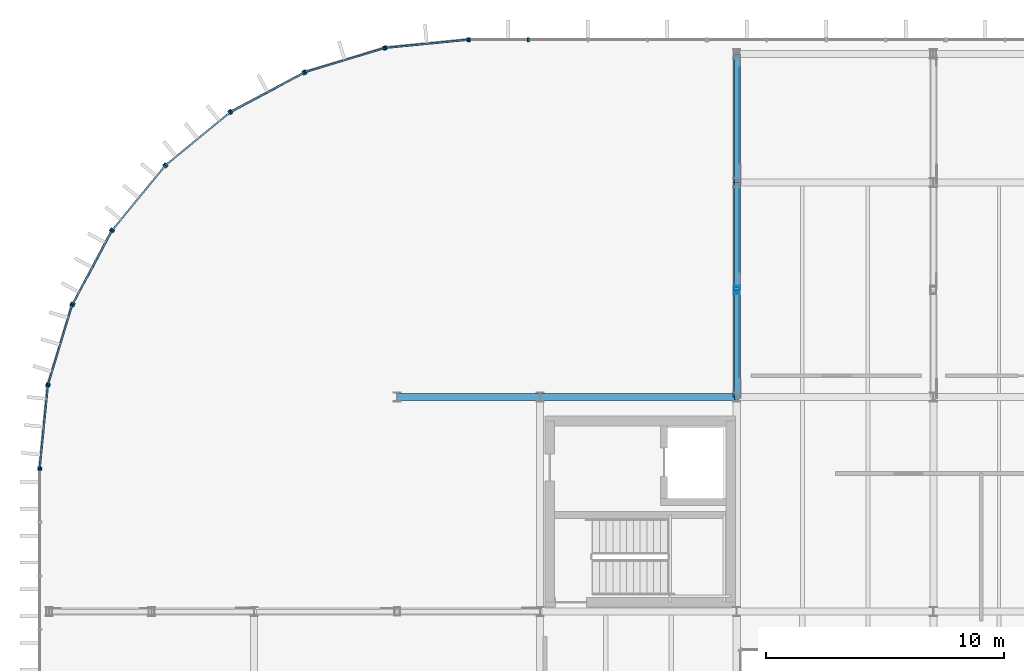
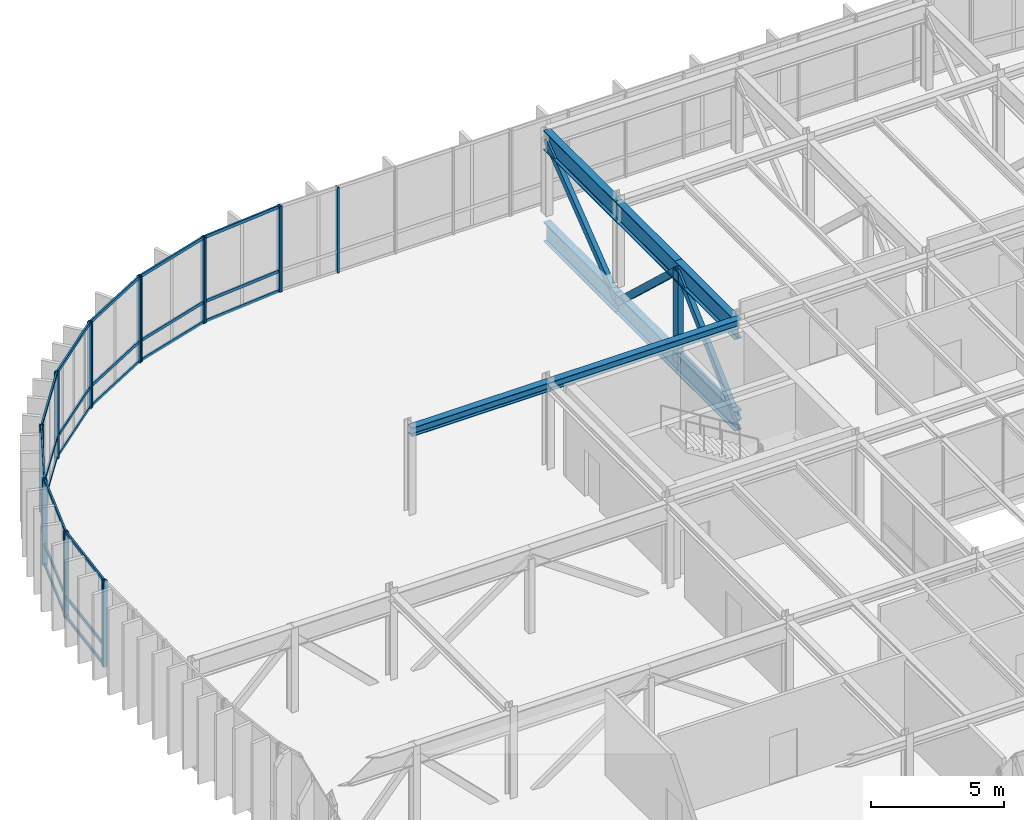
# One storey, part 11 of 29: 47 members, 8 beams, 10 elements without a shape of their own.
"""IFC4 building model written with IfcOpenShell, lengths in metres."""

from ifc_helpers import new_model, si_unit, direction, frame, origin, origin_2d, place, context, subcontext, project, spatial, rectangle, hollow_rectangle, i_section, extrude, material, layer, layer_set, material_profile, profile_set, type_object, element, aggregate, save


model = new_model("IFC4")

# Units and contexts
model_context = context("Model", 3, precision=1e-05, world=origin(), true_north=direction((0.0, 1.0)))
body_context = subcontext(model_context, "Body", "Model", "MODEL_VIEW")
ifc_project = project(units=[si_unit("LENGTHUNIT", "METRE"), si_unit("AREAUNIT", "SQUARE_METRE"), si_unit("VOLUMEUNIT", "CUBIC_METRE"), si_unit("PLANEANGLEUNIT", "RADIAN"), si_unit("MASSUNIT", "GRAM", prefix="KILO")], contexts=[model_context])

# Site, building, storey
site_placement = place(None, origin())
site = spatial("IfcSite", under=ifc_project, at=site_placement, CompositionType="ELEMENT")
building_placement = place(site_placement, origin())
building = spatial("IfcBuilding", under=site, at=building_placement, Name="Montealbar Specialist Clinic", CompositionType="ELEMENT")
storey_placement = place(building_placement, frame((0.0, 0.0, 22.199951171875)))
storey = spatial("IfcBuildingStorey", under=building, at=storey_placement, Name="L05", CompositionType="ELEMENT", Elevation=22.199951171875)

# Beams
ifc_material_1 = material(Name="Steel S355", Category="steel")
ifc_material_profile_1 = material_profile(ifc_material_1, i_section(OverallWidth=0.300048828125, OverallDepth=0.39990234375, WebThickness=0.013427734375, FlangeThickness=0.02392578125, FilletRadius=0.027099609375, at=origin_2d()), Name="HEB 400", Category="steel")
ifc_profile_set_1 = profile_set([ifc_material_profile_1], Name="Steel S355")
beam_type_1 = type_object("IfcBeamType", Name="BM-GIRD-HEB400", PredefinedType="BEAM", material=ifc_profile_set_1)
beam_1_placement = place(storey_placement, frame((60.0, 36.0, 3.739990234375), z_axis=(1.0, 0.0, 0.0), x_axis=(0.0, 1.0, 0.0)))
element("IfcBeam", 1, at=beam_1_placement, inside=storey, type_object=beam_type_1, Name="Beam GX-L05-600-660-360", PredefinedType="BEAM", context=body_context, shape_type="SweptSolid", body=[
    extrude(i_section(OverallWidth=0.300048828125, OverallDepth=0.39990234375, WebThickness=0.013427734375, FlangeThickness=0.02392578125, FilletRadius=0.027099609375, at=origin_2d()), origin(), (0.0, 0.0, 1.0), 6.0),
])
beam_2_placement = place(storey_placement, frame((66.0, 36.0, 3.739990234375), z_axis=(1.0, 0.0, 0.0), x_axis=(0.0, 1.0, 0.0)))
element("IfcBeam", 2, at=beam_2_placement, inside=storey, type_object=beam_type_1, Name="Beam GX-L05-660-742-360", PredefinedType="BEAM", context=body_context, shape_type="SweptSolid", body=[
    extrude(i_section(OverallWidth=0.300048828125, OverallDepth=0.39990234375, WebThickness=0.013427734375, FlangeThickness=0.02392578125, FilletRadius=0.027099609375, at=origin_2d()), origin(), (0.0, 0.0, 1.0), 8.25),
])
ifc_material_profile_2 = material_profile(ifc_material_1, i_section(OverallWidth=0.300048828125, OverallDepth=0.89990234375, WebThickness=0.0185546875, FlangeThickness=0.034912109375, FilletRadius=0.030029296875, at=origin_2d()), Name="HEB 900", Category="steel")
ifc_profile_set_2 = profile_set([ifc_material_profile_2], Name="Steel S355")
beam_type_2 = type_object("IfcBeamType", Name="BM-XFER-HEB900", PredefinedType="BEAM", material=ifc_profile_set_2)
for number, where, z_axis, x_axis, name in (
    (3, (74.25, 36.0, -0.7900390625), (0.0, 1.0, 0.0), (-1.0, 0.0, 0.0), "Transfer truss TT-N2 bottom chord 1"),
    (4, (74.25, 36.0, 3.41015625), (0.0, 1.0, 0.0), (-1.0, 0.0, 0.0), "Transfer truss TT-N2 top chord 1"),
    (5, (74.25, 40.5, -0.7900390625), (0.0, 1.0, 0.0), (-1.0, 0.0, 0.0), "Transfer truss TT-N2 bottom chord 2"),
    (6, (74.25, 40.5, 3.41015625), (0.0, 1.0, 0.0), (-1.0, 0.0, 0.0), "Transfer truss TT-N2 top chord 2"),
):
    element("IfcBeam", number, at=place(storey_placement, frame(where, z_axis=z_axis, x_axis=x_axis)), inside=storey, type_object=beam_type_2, Name=name, PredefinedType="BEAM", context=body_context, shape_type="SweptSolid", body=[
        extrude(i_section(OverallWidth=0.300048828125, OverallDepth=0.89990234375, WebThickness=0.0185546875, FlangeThickness=0.034912109375, FilletRadius=0.030029296875, at=origin_2d()), origin(), (0.0, 0.0, 1.0), 4.5),
    ])
for number, where, z_axis, x_axis, name in (
    (7, (74.25, 45.0, -0.7900390625), (0.0, 1.0, 0.0), (-1.0, 0.0, 0.0), "Transfer truss TT-N2 bottom chord 3"),
    (8, (74.25, 45.0, 3.41015625), (0.0, 1.0, 0.0), (-1.0, 0.0, 0.0), "Transfer truss TT-N2 top chord 3"),
):
    element("IfcBeam", number, at=place(storey_placement, frame(where, z_axis=z_axis, x_axis=x_axis)), inside=storey, type_object=beam_type_2, Name=name, PredefinedType="BEAM", context=body_context, shape_type="SweptSolid", body=[
        extrude(i_section(OverallWidth=0.300048828125, OverallDepth=0.89990234375, WebThickness=0.0185546875, FlangeThickness=0.034912109375, FilletRadius=0.030029296875, at=origin_2d()), origin(), (0.0, 0.0, 1.0), 5.39990234375),
    ])

# Curtain wall, member
ifc_material_2 = material(Name="Low-E double glazing", Category="glass")
ifc_layer_1 = layer(ifc_material_2, 0.199951171875, Name="Low-E double glazing", Category="glass")
ifc_layer_set_1 = layer_set([ifc_layer_1], Name="Low-E double glazing")
curtain_wall_type_1 = type_object("IfcCurtainWallType", Name="CW-TYPE-37", PredefinedType="NOTDEFINED", material=ifc_layer_set_1)
curtain_wall_1_placement = place(storey_placement, origin())
curtain_wall_1 = element("IfcCurtainWall", 9, at=curtain_wall_1_placement, inside=storey, type_object=curtain_wall_type_1, Name="Unitised Curtain Wall CW-L05-450-240-450-330-222", PredefinedType="NOTDEFINED")
ifc_material_3 = material(Name="Anodised aluminium EN AW-6063", Category="aluminium")
ifc_material_profile_3 = material_profile(ifc_material_3, rectangle(XDim=0.070068359375, YDim=0.179931640625, at=origin_2d()), Name="ALU 70x180", Category="aluminium")
ifc_profile_set_3 = profile_set([ifc_material_profile_3], Name="Anodised aluminium EN AW-6063")
member_type_1 = type_object("IfcMemberType", Name="CW-MUL-200", PredefinedType="MULLION", material=ifc_profile_set_3)
member_1_placement = place(storey_placement, frame((45.0, 32.9599609375, 0.0), z_axis=(0.0, 0.0, 1.0), x_axis=(0.0, 1.0, 0.0)))
member_1 = element("IfcMember", 10, at=member_1_placement, type_object=member_type_1, Name="Curtain Wall Mullion CW-L05-450-240-450-330-222-04", PredefinedType="MULLION", context=body_context, shape_type="SweptSolid", body=[
    extrude(rectangle(XDim=0.070068359375, YDim=0.179931640625, at=origin_2d()), origin(), (0.0, 0.0, 1.0), 3.93994140625),
])
aggregate(curtain_wall_1, [member_1])

# Curtain wall, members
ifc_layer_2 = layer(ifc_material_2, 0.199951171875, Name="Low-E double glazing", Category="glass")
ifc_layer_set_2 = layer_set([ifc_layer_2], Name="Low-E double glazing")
curtain_wall_type_2 = type_object("IfcCurtainWallType", Name="CW-TYPE-19", PredefinedType="NOTDEFINED", material=ifc_layer_set_2)
curtain_wall_2_placement = place(storey_placement, origin())
curtain_wall_2 = element("IfcCurtainWall", 11, at=curtain_wall_2_placement, inside=storey, type_object=curtain_wall_type_2, Name="Unitised Curtain Wall CW-L05-450-330-453-365-222", PredefinedType="NOTDEFINED")
member_2_placement = place(storey_placement, frame((45.00390625, 33.0400390625, 0.0), z_axis=(0.0, 0.0, 1.0), x_axis=(0.098044697094, 0.995182012183, 0.0)))
member_2 = element("IfcMember", 12, at=member_2_placement, type_object=member_type_1, Name="Curtain Wall Mullion CW-L05-450-330-453-365-222-00", PredefinedType="MULLION", context=body_context, shape_type="SweptSolid", body=[
    extrude(rectangle(XDim=0.070068359375, YDim=0.179931640625, at=origin_2d()), origin(), (0.0, 0.0, 1.0), 3.93994140625),
])
member_3_placement = place(storey_placement, frame((45.342041015625, 36.471923828125, 0.0), z_axis=(0.0, 0.0, 1.0), x_axis=(0.098044697094, 0.995182012183, 0.0)))
member_3 = element("IfcMember", 13, at=member_3_placement, type_object=member_type_1, Name="Curtain Wall Mullion CW-L05-450-330-453-365-222-01", PredefinedType="MULLION", context=body_context, shape_type="SweptSolid", body=[
    extrude(rectangle(XDim=0.070068359375, YDim=0.179931640625, at=origin_2d()), origin(), (0.0, 0.0, 1.0), 3.93994140625),
])

curtain_wall_3_placement = place(storey_placement, origin())
curtain_wall_3 = element("IfcCurtainWall", 14, at=curtain_wall_3_placement, inside=storey, type_object=curtain_wall_type_2, Name="Unitised Curtain Wall CW-L05-453-365-464-399-222", PredefinedType="NOTDEFINED")
member_4_placement = place(storey_placement, frame((45.35791015625, 36.550048828125, 0.0), z_axis=(0.0, 0.0, 1.0), x_axis=(0.290259134399, 0.956948083701, 0.0)))
member_4 = element("IfcMember", 15, at=member_4_placement, type_object=member_type_1, Name="Curtain Wall Mullion CW-L05-453-365-464-399-222-00", PredefinedType="MULLION", context=body_context, shape_type="SweptSolid", body=[
    extrude(rectangle(XDim=0.070068359375, YDim=0.179931640625, at=origin_2d()), origin(), (0.0, 0.0, 1.0), 3.93994140625),
])
member_5_placement = place(storey_placement, frame((46.35791015625, 39.85009765625, 0.0), z_axis=(0.0, 0.0, 1.0), x_axis=(0.290259134399, 0.956948083701, 0.0)))
member_5 = element("IfcMember", 16, at=member_5_placement, type_object=member_type_1, Name="Curtain Wall Mullion CW-L05-453-365-464-399-222-01", PredefinedType="MULLION", context=body_context, shape_type="SweptSolid", body=[
    extrude(rectangle(XDim=0.070068359375, YDim=0.179931640625, at=origin_2d()), origin(), (0.0, 0.0, 1.0), 3.93994140625),
])

curtain_wall_4_placement = place(storey_placement, origin())
curtain_wall_4 = element("IfcCurtainWall", 17, at=curtain_wall_4_placement, inside=storey, type_object=curtain_wall_type_2, Name="Unitised Curtain Wall CW-L05-464-399-480-430-222", PredefinedType="NOTDEFINED")
member_6_placement = place(storey_placement, frame((46.388916015625, 39.923095703125, 0.0), z_axis=(0.0, 0.0, 1.0), x_axis=(0.471529268958, 0.881850411644, 0.0)))
member_6 = element("IfcMember", 18, at=member_6_placement, type_object=member_type_1, Name="Curtain Wall Mullion CW-L05-464-399-480-430-222-00", PredefinedType="MULLION", context=body_context, shape_type="SweptSolid", body=[
    extrude(rectangle(XDim=0.070068359375, YDim=0.179931640625, at=origin_2d()), origin(), (0.0, 0.0, 1.0), 3.93994140625),
])
member_7_placement = place(storey_placement, frame((48.014892578125, 42.965087890625, 0.0), z_axis=(0.0, 0.0, 1.0), x_axis=(0.471529268958, 0.881850411644, 0.0)))
member_7 = element("IfcMember", 19, at=member_7_placement, type_object=member_type_1, Name="Curtain Wall Mullion CW-L05-464-399-480-430-222-01", PredefinedType="MULLION", context=body_context, shape_type="SweptSolid", body=[
    extrude(rectangle(XDim=0.070068359375, YDim=0.179931640625, at=origin_2d()), origin(), (0.0, 0.0, 1.0), 3.93994140625),
])

curtain_wall_5_placement = place(storey_placement, origin())
curtain_wall_5 = element("IfcCurtainWall", 20, at=curtain_wall_5_placement, inside=storey, type_object=curtain_wall_type_2, Name="Unitised Curtain Wall CW-L05-480-430-503-457-222", PredefinedType="NOTDEFINED")
member_8_placement = place(storey_placement, frame((48.05908203125, 43.031005859375, 0.0), z_axis=(0.0, 0.0, 1.0), x_axis=(0.634255808922, 0.773123255923, 0.0)))
member_8 = element("IfcMember", 21, at=member_8_placement, type_object=member_type_1, Name="Curtain Wall Mullion CW-L05-480-430-503-457-222-00", PredefinedType="MULLION", context=body_context, shape_type="SweptSolid", body=[
    extrude(rectangle(XDim=0.070068359375, YDim=0.179931640625, at=origin_2d()), origin(), (0.0, 0.0, 1.0), 3.93994140625),
])
member_9_placement = place(storey_placement, frame((50.2470703125, 45.697021484375, 0.0), z_axis=(0.0, 0.0, 1.0), x_axis=(0.634255808922, 0.773123255923, 0.0)))
member_9 = element("IfcMember", 22, at=member_9_placement, type_object=member_type_1, Name="Curtain Wall Mullion CW-L05-480-430-503-457-222-01", PredefinedType="MULLION", context=body_context, shape_type="SweptSolid", body=[
    extrude(rectangle(XDim=0.070068359375, YDim=0.179931640625, at=origin_2d()), origin(), (0.0, 0.0, 1.0), 3.93994140625),
])

curtain_wall_6_placement = place(storey_placement, origin())
curtain_wall_6 = element("IfcCurtainWall", 23, at=curtain_wall_6_placement, inside=storey, type_object=curtain_wall_type_2, Name="Unitised Curtain Wall CW-L05-503-457-530-480-222", PredefinedType="NOTDEFINED")
member_10_placement = place(storey_placement, frame((50.302978515625, 45.7529296875, 0.0), z_axis=(0.0, 0.0, 1.0), x_axis=(0.773123255923, 0.634255808922, 0.0)))
member_10 = element("IfcMember", 24, at=member_10_placement, type_object=member_type_1, Name="Curtain Wall Mullion CW-L05-503-457-530-480-222-00", PredefinedType="MULLION", context=body_context, shape_type="SweptSolid", body=[
    extrude(rectangle(XDim=0.070068359375, YDim=0.179931640625, at=origin_2d()), origin(), (0.0, 0.0, 1.0), 3.93994140625),
])
member_11_placement = place(storey_placement, frame((52.968994140625, 47.94091796875, 0.0), z_axis=(0.0, 0.0, 1.0), x_axis=(0.773123255923, 0.634255808922, 0.0)))
member_11 = element("IfcMember", 25, at=member_11_placement, type_object=member_type_1, Name="Curtain Wall Mullion CW-L05-503-457-530-480-222-01", PredefinedType="MULLION", context=body_context, shape_type="SweptSolid", body=[
    extrude(rectangle(XDim=0.070068359375, YDim=0.179931640625, at=origin_2d()), origin(), (0.0, 0.0, 1.0), 3.93994140625),
])

curtain_wall_7_placement = place(storey_placement, origin())
curtain_wall_7 = element("IfcCurtainWall", 26, at=curtain_wall_7_placement, inside=storey, type_object=curtain_wall_type_2, Name="Unitised Curtain Wall CW-L05-530-480-561-496-222", PredefinedType="NOTDEFINED")
member_12_placement = place(storey_placement, frame((53.034912109375, 47.985107421875, 0.0), z_axis=(0.0, 0.0, 1.0), x_axis=(0.881850411644, 0.471529268958, 0.0)))
member_12 = element("IfcMember", 27, at=member_12_placement, type_object=member_type_1, Name="Curtain Wall Mullion CW-L05-530-480-561-496-222-00", PredefinedType="MULLION", context=body_context, shape_type="SweptSolid", body=[
    extrude(rectangle(XDim=0.070068359375, YDim=0.179931640625, at=origin_2d()), origin(), (0.0, 0.0, 1.0), 3.93994140625),
])
member_13_placement = place(storey_placement, frame((56.076904296875, 49.611083984375, 0.0), z_axis=(0.0, 0.0, 1.0), x_axis=(0.881850411644, 0.471529268958, 0.0)))
member_13 = element("IfcMember", 28, at=member_13_placement, type_object=member_type_1, Name="Curtain Wall Mullion CW-L05-530-480-561-496-222-01", PredefinedType="MULLION", context=body_context, shape_type="SweptSolid", body=[
    extrude(rectangle(XDim=0.070068359375, YDim=0.179931640625, at=origin_2d()), origin(), (0.0, 0.0, 1.0), 3.93994140625),
])

curtain_wall_8_placement = place(storey_placement, origin())
curtain_wall_8 = element("IfcCurtainWall", 29, at=curtain_wall_8_placement, inside=storey, type_object=curtain_wall_type_2, Name="Unitised Curtain Wall CW-L05-561-496-595-507-222", PredefinedType="NOTDEFINED")
member_14_placement = place(storey_placement, frame((56.14990234375, 49.64208984375, 0.0), z_axis=(0.0, 0.0, 1.0), x_axis=(0.956948083701, 0.290259134399, 0.0)))
member_14 = element("IfcMember", 30, at=member_14_placement, type_object=member_type_1, Name="Curtain Wall Mullion CW-L05-561-496-595-507-222-00", PredefinedType="MULLION", context=body_context, shape_type="SweptSolid", body=[
    extrude(rectangle(XDim=0.070068359375, YDim=0.179931640625, at=origin_2d()), origin(), (0.0, 0.0, 1.0), 3.93994140625),
])
member_15_placement = place(storey_placement, frame((59.449951171875, 50.64208984375, 0.0), z_axis=(0.0, 0.0, 1.0), x_axis=(0.956948083701, 0.290259134399, 0.0)))
member_15 = element("IfcMember", 31, at=member_15_placement, type_object=member_type_1, Name="Curtain Wall Mullion CW-L05-561-496-595-507-222-01", PredefinedType="MULLION", context=body_context, shape_type="SweptSolid", body=[
    extrude(rectangle(XDim=0.070068359375, YDim=0.179931640625, at=origin_2d()), origin(), (0.0, 0.0, 1.0), 3.93994140625),
])

curtain_wall_9_placement = place(storey_placement, origin())
curtain_wall_9 = element("IfcCurtainWall", 32, at=curtain_wall_9_placement, inside=storey, type_object=curtain_wall_type_2, Name="Unitised Curtain Wall CW-L05-595-507-630-510-222", PredefinedType="NOTDEFINED")
member_16_placement = place(storey_placement, frame((59.528076171875, 50.657958984375, 0.0), z_axis=(0.0, 0.0, 1.0), x_axis=(0.995182012183, 0.098044697094, 0.0)))
member_16 = element("IfcMember", 33, at=member_16_placement, type_object=member_type_1, Name="Curtain Wall Mullion CW-L05-595-507-630-510-222-00", PredefinedType="MULLION", context=body_context, shape_type="SweptSolid", body=[
    extrude(rectangle(XDim=0.070068359375, YDim=0.179931640625, at=origin_2d()), origin(), (0.0, 0.0, 1.0), 3.93994140625),
])
member_17_placement = place(storey_placement, frame((62.9599609375, 50.99609375, 0.0), z_axis=(0.0, 0.0, 1.0), x_axis=(0.995182012183, 0.098044697094, 0.0)))
member_17 = element("IfcMember", 34, at=member_17_placement, type_object=member_type_1, Name="Curtain Wall Mullion CW-L05-595-507-630-510-222-01", PredefinedType="MULLION", context=body_context, shape_type="SweptSolid", body=[
    extrude(rectangle(XDim=0.070068359375, YDim=0.179931640625, at=origin_2d()), origin(), (0.0, 0.0, 1.0), 3.93994140625),
])

ifc_layer_3 = layer(ifc_material_2, 0.199951171875, Name="Low-E double glazing", Category="glass")
ifc_layer_set_3 = layer_set([ifc_layer_3], Name="Low-E double glazing")
curtain_wall_type_3 = type_object("IfcCurtainWallType", Name="CW-TYPE-38", PredefinedType="NOTDEFINED", material=ifc_layer_set_3)
curtain_wall_10_placement = place(storey_placement, origin())
curtain_wall_10 = element("IfcCurtainWall", 35, at=curtain_wall_10_placement, inside=storey, type_object=curtain_wall_type_3, Name="Unitised Curtain Wall CW-L05-630-510-730-510-222", PredefinedType="NOTDEFINED")
member_18_placement = place(storey_placement, frame((63.0400390625, 51.0, 0.0), z_axis=(0.0, 0.0, 1.0), x_axis=(1.0, 0.0, 0.0)))
member_18 = element("IfcMember", 36, at=member_18_placement, type_object=member_type_1, Name="Curtain Wall Mullion CW-L05-630-510-730-510-222-00", PredefinedType="MULLION", context=body_context, shape_type="SweptSolid", body=[
    extrude(rectangle(XDim=0.070068359375, YDim=0.179931640625, at=origin_2d()), origin(), (0.0, 0.0, 1.0), 3.93994140625),
])
member_19_placement = place(storey_placement, frame((65.5, 51.0, 0.0), z_axis=(0.0, 0.0, 1.0), x_axis=(1.0, 0.0, 0.0)))
member_19 = element("IfcMember", 37, at=member_19_placement, type_object=member_type_1, Name="Curtain Wall Mullion CW-L05-630-510-730-510-222-01", PredefinedType="MULLION", context=body_context, shape_type="SweptSolid", body=[
    extrude(rectangle(XDim=0.070068359375, YDim=0.179931640625, at=origin_2d()), origin(), (0.0, 0.0, 1.0), 3.93994140625),
])
aggregate(curtain_wall_10, [member_18, member_19])

# Member
ifc_material_4 = material(Name="Powder-coated aluminium", Category="aluminium")
ifc_material_profile_4 = material_profile(ifc_material_4, rectangle(XDim=0.070068359375, YDim=0.139892578125, at=origin_2d()), Name="ALU 70x140", Category="aluminium")
ifc_profile_set_4 = profile_set([ifc_material_profile_4], Name="Powder-coated aluminium")
member_type_2 = type_object("IfcMemberType", Name="CW-TRN-140", PredefinedType="USERDEFINED", material=ifc_profile_set_4)
member_20_placement = place(storey_placement, frame((45.0048828125, 33.050048828125, 0.0400390625), z_axis=(0.098058232162, 0.995180678623, 0.0), x_axis=(-0.995180678623, 0.098058232162, 0.0)))
member_20 = element("IfcMember", 38, at=member_20_placement, type_object=member_type_2, Name="Curtain Wall Transom CW-L05-450-330-453-365-222-00", ObjectType="TRANSOM", PredefinedType="USERDEFINED", context=body_context, shape_type="SweptSolid", body=[
    extrude(rectangle(XDim=0.070068359375, YDim=0.139892578125, at=origin_2d()), origin(), (0.0, 0.0, 1.0), 3.428466796875),
])

member_21_placement = place(storey_placement, frame((45.0048828125, 33.050048828125, 0.949951171875), z_axis=(0.098058232162, 0.995180678623, 0.0), x_axis=(-0.995180678623, 0.098058232162, 0.0)))
member_21 = element("IfcMember", 39, at=member_21_placement, type_object=member_type_2, Name="Curtain Wall Transom CW-L05-450-330-453-365-222-01", ObjectType="TRANSOM", PredefinedType="USERDEFINED", context=body_context, shape_type="SweptSolid", body=[
    extrude(rectangle(XDim=0.070068359375, YDim=0.139892578125, at=origin_2d()), origin(), (0.0, 0.0, 1.0), 3.428466796875),
])

member_22_placement = place(storey_placement, frame((45.0048828125, 33.050048828125, 3.900146484375), z_axis=(0.098058232162, 0.995180678623, 0.0), x_axis=(-0.995180678623, 0.098058232162, 0.0)))
member_22 = element("IfcMember", 40, at=member_22_placement, type_object=member_type_2, Name="Curtain Wall Transom CW-L05-450-330-453-365-222-02", ObjectType="TRANSOM", PredefinedType="USERDEFINED", context=body_context, shape_type="SweptSolid", body=[
    extrude(rectangle(XDim=0.070068359375, YDim=0.139892578125, at=origin_2d()), origin(), (0.0, 0.0, 1.0), 3.428466796875),
])

aggregate(curtain_wall_2, [member_2, member_3, member_20, member_21, member_22])

member_23_placement = place(storey_placement, frame((45.361083984375, 36.56005859375, 0.0400390625), z_axis=(0.289993555849, 0.957028598092, 0.0), x_axis=(-0.957028598092, 0.289993555849, 0.0)))
member_23 = element("IfcMember", 41, at=member_23_placement, type_object=member_type_2, Name="Curtain Wall Transom CW-L05-453-365-464-399-222-00", ObjectType="TRANSOM", PredefinedType="USERDEFINED", context=body_context, shape_type="SweptSolid", body=[
    extrude(rectangle(XDim=0.070068359375, YDim=0.139892578125, at=origin_2d()), origin(), (0.0, 0.0, 1.0), 3.42724609375),
])

member_24_placement = place(storey_placement, frame((45.361083984375, 36.56005859375, 0.949951171875), z_axis=(0.289993555849, 0.957028598092, 0.0), x_axis=(-0.957028598092, 0.289993555849, 0.0)))
member_24 = element("IfcMember", 42, at=member_24_placement, type_object=member_type_2, Name="Curtain Wall Transom CW-L05-453-365-464-399-222-01", ObjectType="TRANSOM", PredefinedType="USERDEFINED", context=body_context, shape_type="SweptSolid", body=[
    extrude(rectangle(XDim=0.070068359375, YDim=0.139892578125, at=origin_2d()), origin(), (0.0, 0.0, 1.0), 3.42724609375),
])

member_25_placement = place(storey_placement, frame((45.361083984375, 36.56005859375, 3.900146484375), z_axis=(0.289993555849, 0.957028598092, 0.0), x_axis=(-0.957028598092, 0.289993555849, 0.0)))
member_25 = element("IfcMember", 43, at=member_25_placement, type_object=member_type_2, Name="Curtain Wall Transom CW-L05-453-365-464-399-222-02", ObjectType="TRANSOM", PredefinedType="USERDEFINED", context=body_context, shape_type="SweptSolid", body=[
    extrude(rectangle(XDim=0.070068359375, YDim=0.139892578125, at=origin_2d()), origin(), (0.0, 0.0, 1.0), 3.42724609375),
])

aggregate(curtain_wall_3, [member_4, member_5, member_23, member_24, member_25])

member_26_placement = place(storey_placement, frame((46.39404296875, 39.931884765625, 0.0400390625), z_axis=(0.471286558069, 0.881980147273, 0.0), x_axis=(-0.881980147273, 0.471286558069, 0.0)))
member_26 = element("IfcMember", 44, at=member_26_placement, type_object=member_type_2, Name="Curtain Wall Transom CW-L05-464-399-480-430-222-00", ObjectType="TRANSOM", PredefinedType="USERDEFINED", context=body_context, shape_type="SweptSolid", body=[
    extrude(rectangle(XDim=0.070068359375, YDim=0.139892578125, at=origin_2d()), origin(), (0.0, 0.0, 1.0), 3.428955078125),
])

member_27_placement = place(storey_placement, frame((46.39404296875, 39.931884765625, 0.949951171875), z_axis=(0.471286558069, 0.881980147273, 0.0), x_axis=(-0.881980147273, 0.471286558069, 0.0)))
member_27 = element("IfcMember", 45, at=member_27_placement, type_object=member_type_2, Name="Curtain Wall Transom CW-L05-464-399-480-430-222-01", ObjectType="TRANSOM", PredefinedType="USERDEFINED", context=body_context, shape_type="SweptSolid", body=[
    extrude(rectangle(XDim=0.070068359375, YDim=0.139892578125, at=origin_2d()), origin(), (0.0, 0.0, 1.0), 3.428955078125),
])

member_28_placement = place(storey_placement, frame((46.39404296875, 39.931884765625, 3.900146484375), z_axis=(0.471286558069, 0.881980147273, 0.0), x_axis=(-0.881980147273, 0.471286558069, 0.0)))
member_28 = element("IfcMember", 46, at=member_28_placement, type_object=member_type_2, Name="Curtain Wall Transom CW-L05-464-399-480-430-222-02", ObjectType="TRANSOM", PredefinedType="USERDEFINED", context=body_context, shape_type="SweptSolid", body=[
    extrude(rectangle(XDim=0.070068359375, YDim=0.139892578125, at=origin_2d()), origin(), (0.0, 0.0, 1.0), 3.428955078125),
])

aggregate(curtain_wall_4, [member_6, member_7, member_26, member_27, member_28])

member_29_placement = place(storey_placement, frame((48.06591796875, 43.0390625, 0.0400390625), z_axis=(0.634280591441, 0.773102924144, 0.0), x_axis=(-0.773102924144, 0.634280591441, 0.0)))
member_29 = element("IfcMember", 47, at=member_29_placement, type_object=member_type_2, Name="Curtain Wall Transom CW-L05-480-430-503-457-222-00", ObjectType="TRANSOM", PredefinedType="USERDEFINED", context=body_context, shape_type="SweptSolid", body=[
    extrude(rectangle(XDim=0.070068359375, YDim=0.139892578125, at=origin_2d()), origin(), (0.0, 0.0, 1.0), 3.427734375),
])

member_30_placement = place(storey_placement, frame((48.06591796875, 43.0390625, 0.949951171875), z_axis=(0.634280591441, 0.773102924144, 0.0), x_axis=(-0.773102924144, 0.634280591441, 0.0)))
member_30 = element("IfcMember", 48, at=member_30_placement, type_object=member_type_2, Name="Curtain Wall Transom CW-L05-480-430-503-457-222-01", ObjectType="TRANSOM", PredefinedType="USERDEFINED", context=body_context, shape_type="SweptSolid", body=[
    extrude(rectangle(XDim=0.070068359375, YDim=0.139892578125, at=origin_2d()), origin(), (0.0, 0.0, 1.0), 3.427734375),
])

member_31_placement = place(storey_placement, frame((48.06591796875, 43.0390625, 3.900146484375), z_axis=(0.634280591441, 0.773102924144, 0.0), x_axis=(-0.773102924144, 0.634280591441, 0.0)))
member_31 = element("IfcMember", 49, at=member_31_placement, type_object=member_type_2, Name="Curtain Wall Transom CW-L05-480-430-503-457-222-02", ObjectType="TRANSOM", PredefinedType="USERDEFINED", context=body_context, shape_type="SweptSolid", body=[
    extrude(rectangle(XDim=0.070068359375, YDim=0.139892578125, at=origin_2d()), origin(), (0.0, 0.0, 1.0), 3.427734375),
])

aggregate(curtain_wall_5, [member_8, member_9, member_29, member_30, member_31])

member_32_placement = place(storey_placement, frame((50.31103515625, 45.760009765625, 0.0400390625), z_axis=(0.773102924144, 0.634280591441, 0.0), x_axis=(-0.634280591441, 0.773102924144, 0.0)))
member_32 = element("IfcMember", 50, at=member_32_placement, type_object=member_type_2, Name="Curtain Wall Transom CW-L05-503-457-530-480-222-00", ObjectType="TRANSOM", PredefinedType="USERDEFINED", context=body_context, shape_type="SweptSolid", body=[
    extrude(rectangle(XDim=0.070068359375, YDim=0.139892578125, at=origin_2d()), origin(), (0.0, 0.0, 1.0), 3.427734375),
])

member_33_placement = place(storey_placement, frame((50.31103515625, 45.760009765625, 0.949951171875), z_axis=(0.773102924144, 0.634280591441, 0.0), x_axis=(-0.634280591441, 0.773102924144, 0.0)))
member_33 = element("IfcMember", 51, at=member_33_placement, type_object=member_type_2, Name="Curtain Wall Transom CW-L05-503-457-530-480-222-01", ObjectType="TRANSOM", PredefinedType="USERDEFINED", context=body_context, shape_type="SweptSolid", body=[
    extrude(rectangle(XDim=0.070068359375, YDim=0.139892578125, at=origin_2d()), origin(), (0.0, 0.0, 1.0), 3.427734375),
])

member_34_placement = place(storey_placement, frame((50.31103515625, 45.760009765625, 3.900146484375), z_axis=(0.773102924144, 0.634280591441, 0.0), x_axis=(-0.634280591441, 0.773102924144, 0.0)))
member_34 = element("IfcMember", 52, at=member_34_placement, type_object=member_type_2, Name="Curtain Wall Transom CW-L05-503-457-530-480-222-02", ObjectType="TRANSOM", PredefinedType="USERDEFINED", context=body_context, shape_type="SweptSolid", body=[
    extrude(rectangle(XDim=0.070068359375, YDim=0.139892578125, at=origin_2d()), origin(), (0.0, 0.0, 1.0), 3.427734375),
])

aggregate(curtain_wall_6, [member_10, member_11, member_32, member_33, member_34])

member_35_placement = place(storey_placement, frame((53.0439453125, 47.989990234375, 0.0400390625), z_axis=(0.881980147273, 0.471286558069, 0.0), x_axis=(-0.471286558069, 0.881980147273, 0.0)))
member_35 = element("IfcMember", 53, at=member_35_placement, type_object=member_type_2, Name="Curtain Wall Transom CW-L05-530-480-561-496-222-00", ObjectType="TRANSOM", PredefinedType="USERDEFINED", context=body_context, shape_type="SweptSolid", body=[
    extrude(rectangle(XDim=0.070068359375, YDim=0.139892578125, at=origin_2d()), origin(), (0.0, 0.0, 1.0), 3.428955078125),
])

member_36_placement = place(storey_placement, frame((53.0439453125, 47.989990234375, 0.949951171875), z_axis=(0.881980147273, 0.471286558069, 0.0), x_axis=(-0.471286558069, 0.881980147273, 0.0)))
member_36 = element("IfcMember", 54, at=member_36_placement, type_object=member_type_2, Name="Curtain Wall Transom CW-L05-530-480-561-496-222-01", ObjectType="TRANSOM", PredefinedType="USERDEFINED", context=body_context, shape_type="SweptSolid", body=[
    extrude(rectangle(XDim=0.070068359375, YDim=0.139892578125, at=origin_2d()), origin(), (0.0, 0.0, 1.0), 3.428955078125),
])

member_37_placement = place(storey_placement, frame((53.0439453125, 47.989990234375, 3.900146484375), z_axis=(0.881980147273, 0.471286558069, 0.0), x_axis=(-0.471286558069, 0.881980147273, 0.0)))
member_37 = element("IfcMember", 55, at=member_37_placement, type_object=member_type_2, Name="Curtain Wall Transom CW-L05-530-480-561-496-222-02", ObjectType="TRANSOM", PredefinedType="USERDEFINED", context=body_context, shape_type="SweptSolid", body=[
    extrude(rectangle(XDim=0.070068359375, YDim=0.139892578125, at=origin_2d()), origin(), (0.0, 0.0, 1.0), 3.428955078125),
])

aggregate(curtain_wall_7, [member_12, member_13, member_35, member_36, member_37])

member_38_placement = place(storey_placement, frame((56.159912109375, 49.64501953125, 0.0400390625), z_axis=(0.957028598092, 0.289993555849, 0.0), x_axis=(-0.289993555849, 0.957028598092, 0.0)))
member_38 = element("IfcMember", 56, at=member_38_placement, type_object=member_type_2, Name="Curtain Wall Transom CW-L05-561-496-595-507-222-00", ObjectType="TRANSOM", PredefinedType="USERDEFINED", context=body_context, shape_type="SweptSolid", body=[
    extrude(rectangle(XDim=0.070068359375, YDim=0.139892578125, at=origin_2d()), origin(), (0.0, 0.0, 1.0), 3.42724609375),
])

member_39_placement = place(storey_placement, frame((56.159912109375, 49.64501953125, 0.949951171875), z_axis=(0.957028598092, 0.289993555849, 0.0), x_axis=(-0.289993555849, 0.957028598092, 0.0)))
member_39 = element("IfcMember", 57, at=member_39_placement, type_object=member_type_2, Name="Curtain Wall Transom CW-L05-561-496-595-507-222-01", ObjectType="TRANSOM", PredefinedType="USERDEFINED", context=body_context, shape_type="SweptSolid", body=[
    extrude(rectangle(XDim=0.070068359375, YDim=0.139892578125, at=origin_2d()), origin(), (0.0, 0.0, 1.0), 3.42724609375),
])

member_40_placement = place(storey_placement, frame((56.159912109375, 49.64501953125, 3.900146484375), z_axis=(0.957028598092, 0.289993555849, 0.0), x_axis=(-0.289993555849, 0.957028598092, 0.0)))
member_40 = element("IfcMember", 58, at=member_40_placement, type_object=member_type_2, Name="Curtain Wall Transom CW-L05-561-496-595-507-222-02", ObjectType="TRANSOM", PredefinedType="USERDEFINED", context=body_context, shape_type="SweptSolid", body=[
    extrude(rectangle(XDim=0.070068359375, YDim=0.139892578125, at=origin_2d()), origin(), (0.0, 0.0, 1.0), 3.42724609375),
])

aggregate(curtain_wall_8, [member_14, member_15, member_38, member_39, member_40])

member_41_placement = place(storey_placement, frame((59.5380859375, 50.658935546875, 0.0400390625), z_axis=(0.995180678623, 0.098058232162, 0.0), x_axis=(-0.098058232162, 0.995180678623, 0.0)))
member_41 = element("IfcMember", 59, at=member_41_placement, type_object=member_type_2, Name="Curtain Wall Transom CW-L05-595-507-630-510-222-00", ObjectType="TRANSOM", PredefinedType="USERDEFINED", context=body_context, shape_type="SweptSolid", body=[
    extrude(rectangle(XDim=0.070068359375, YDim=0.139892578125, at=origin_2d()), origin(), (0.0, 0.0, 1.0), 3.428466796875),
])

member_42_placement = place(storey_placement, frame((59.5380859375, 50.658935546875, 0.949951171875), z_axis=(0.995180678623, 0.098058232162, 0.0), x_axis=(-0.098058232162, 0.995180678623, 0.0)))
member_42 = element("IfcMember", 60, at=member_42_placement, type_object=member_type_2, Name="Curtain Wall Transom CW-L05-595-507-630-510-222-01", ObjectType="TRANSOM", PredefinedType="USERDEFINED", context=body_context, shape_type="SweptSolid", body=[
    extrude(rectangle(XDim=0.070068359375, YDim=0.139892578125, at=origin_2d()), origin(), (0.0, 0.0, 1.0), 3.428466796875),
])

member_43_placement = place(storey_placement, frame((59.5380859375, 50.658935546875, 3.900146484375), z_axis=(0.995180678623, 0.098058232162, 0.0), x_axis=(-0.098058232162, 0.995180678623, 0.0)))
member_43 = element("IfcMember", 61, at=member_43_placement, type_object=member_type_2, Name="Curtain Wall Transom CW-L05-595-507-630-510-222-02", ObjectType="TRANSOM", PredefinedType="USERDEFINED", context=body_context, shape_type="SweptSolid", body=[
    extrude(rectangle(XDim=0.070068359375, YDim=0.139892578125, at=origin_2d()), origin(), (0.0, 0.0, 1.0), 3.428466796875),
])

aggregate(curtain_wall_9, [member_16, member_17, member_41, member_42, member_43])

# Members
ifc_material_profile_5 = material_profile(ifc_material_1, hollow_rectangle(XDim=0.199951171875, YDim=0.300048828125, WallThickness=0.012451171875, at=origin_2d()), Name="RHS 300x200x12.5", Category="steel")
ifc_profile_set_5 = profile_set([ifc_material_profile_5], Name="Steel S355")
member_type_3 = type_object("IfcMemberType", Name="MB-TRUSS-DIAG", PredefinedType="BRACE", material=ifc_profile_set_5)
for number, where, z_axis, x_axis, name in (
    (62, (74.25, 36.0, -0.7900390625), (0.0, 0.731039441158, 0.682335207557), (-1.0, 0.0, 0.0), "Transfer truss TT-N2 web diagonal 1"),
    (63, (74.25, 40.5, 3.41015625), (0.0, 0.731039441158, -0.682335207557), (-1.0, 0.0, 0.0), "Transfer truss TT-N2 web diagonal 2"),
):
    element("IfcMember", number, at=place(storey_placement, frame(where, z_axis=z_axis, x_axis=x_axis)), inside=storey, type_object=member_type_3, Name=name, PredefinedType="BRACE", context=body_context, shape_type="SweptSolid", body=[
        extrude(hollow_rectangle(XDim=0.199951171875, YDim=0.300048828125, WallThickness=0.012451171875, at=origin_2d()), origin(), (0.0, 0.0, 1.0), 6.155517578125),
    ])
member_44_placement = place(storey_placement, frame((74.25, 45.0, -0.7900390625), z_axis=(0.0, 0.78933300072, 0.613965319847), x_axis=(-1.0, 0.0, 0.0)))
element("IfcMember", 64, at=member_44_placement, inside=storey, type_object=member_type_3, Name="Transfer truss TT-N2 web diagonal 3", PredefinedType="BRACE", context=body_context, shape_type="SweptSolid", body=[
    extrude(hollow_rectangle(XDim=0.199951171875, YDim=0.300048828125, WallThickness=0.012451171875, at=origin_2d()), origin(), (0.0, 0.0, 1.0), 6.841064453125),
])
ifc_material_profile_6 = material_profile(ifc_material_1, hollow_rectangle(XDim=0.25, YDim=0.35009765625, WallThickness=0.012451171875, at=origin_2d()), Name="RHS 350x250x12.5", Category="steel")
ifc_profile_set_6 = profile_set([ifc_material_profile_6], Name="Steel S355")
member_type_4 = type_object("IfcMemberType", Name="MB-TRUSS-POST", PredefinedType="BRACE", material=ifc_profile_set_6)
member_45_placement = place(storey_placement, frame((74.25, 40.5, -0.7900390625), z_axis=(0.0, 0.0, 1.0), x_axis=(1.0, 0.0, 0.0)))
element("IfcMember", 65, at=member_45_placement, inside=storey, type_object=member_type_4, Name="Transfer truss TT-N2 vertical post 1", PredefinedType="BRACE", context=body_context, shape_type="SweptSolid", body=[
    extrude(hollow_rectangle(XDim=0.25, YDim=0.35009765625, WallThickness=0.012451171875, at=origin_2d()), origin(), (0.0, 0.0, 1.0), 4.2001953125),
])

save(model, "model.ifc")
